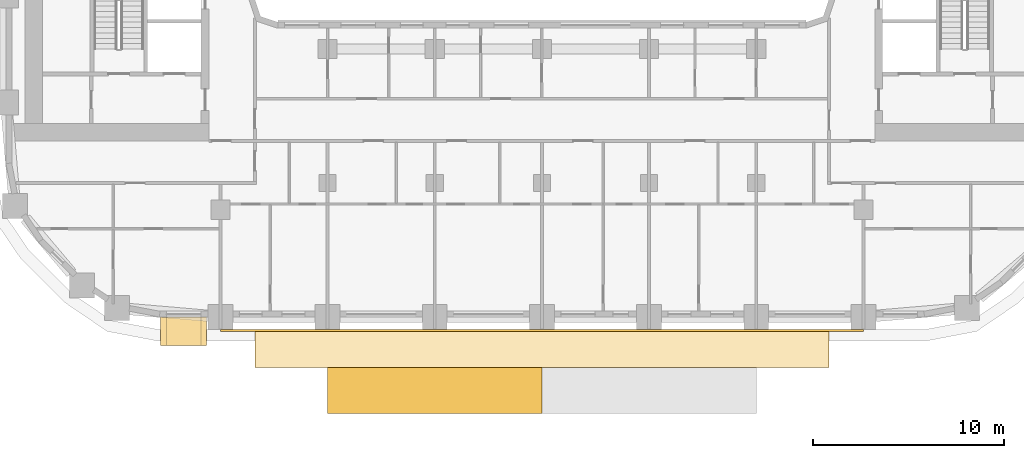
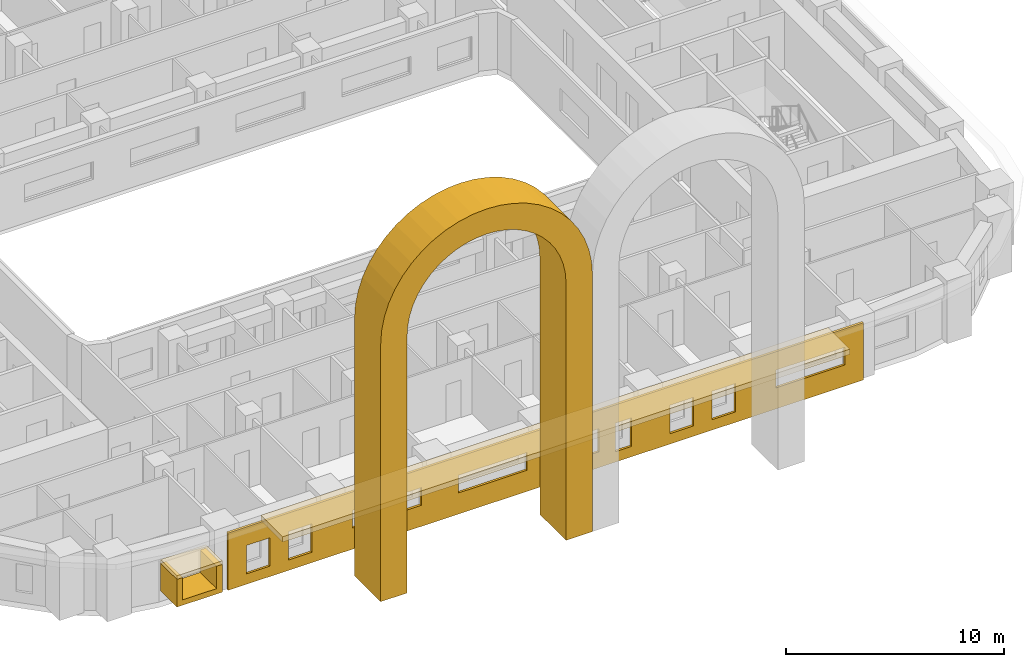
# One storey, part 12 of 19: 5 coverings.
"""IFC4 building model written with IfcOpenShell, lengths in metres."""

from ifc_helpers import new_model, si_unit, direction, frame, origin, origin_2d, place, context, subcontext, project, spatial, polyline, rectangle, outline, extrude, material, layer, layer_set, type_object, element, save


model = new_model("IFC4")

# Units and contexts
model_context = context("Model", 3, precision=1e-05, world=origin(), true_north=direction((0.0, 1.0)))
body_context = subcontext(model_context, "Body", "Model", "MODEL_VIEW")
ifc_project = project(units=[si_unit("LENGTHUNIT", "METRE"), si_unit("AREAUNIT", "SQUARE_METRE"), si_unit("VOLUMEUNIT", "CUBIC_METRE"), si_unit("PLANEANGLEUNIT", "RADIAN"), si_unit("MASSUNIT", "GRAM", prefix="KILO")], contexts=[model_context])

# Site, building, storey
site_placement = place(None, origin())
site = spatial("IfcSite", under=ifc_project, at=site_placement, CompositionType="ELEMENT")
building_placement = place(site_placement, origin())
building = spatial("IfcBuilding", under=site, at=building_placement, Name="Kiln Ring Residences", CompositionType="ELEMENT")
storey_placement = place(building_placement, frame((0.0, 0.0, 104.300048828125)))
storey = spatial("IfcBuildingStorey", under=building, at=storey_placement, Name="L26", CompositionType="ELEMENT", Elevation=104.300048828125)

# Coverings
ifc_material_1 = material(Name="Brick masonry, dark clay brick", Category="masonry")
ifc_layer_1 = layer(ifc_material_1, 1.39990234375)
ifc_layer_set_1 = layer_set([ifc_layer_1], Name="ARCH SURROUND 2400")
covering_type_1 = type_object("IfcCoveringType", Name="ARCH SURROUND 2400", PredefinedType="CLADDING", material=ifc_layer_set_1)
covering_1_placement = place(storey_placement, frame((0.0, -26.25, 0.0), z_axis=(0.0, 0.0, 1.0), x_axis=(-1.0, 0.0, 0.0)))
element("IfcCovering", 1, at=covering_1_placement, inside=storey, type_object=covering_type_1, Name="ARCH SURROUND Z2 S2.1", PredefinedType="CLADDING", context=body_context, shape_type="SweptSolid", body=[
    extrude(outline(polyline([(11.199951171875, 0.0), (11.199951171875, 14.39990234375), (11.152099609375, 15.130859375), (11.00927734375, 15.849365234375), (10.773681640625, 16.54296875), (10.44970703125, 17.199951171875), (10.042724609375, 17.80908203125), (9.559814453125, 18.35986328125), (9.009033203125, 18.8427734375), (8.39990234375, 19.249755859375), (7.742919921875, 19.57373046875), (7.04931640625, 19.80908203125), (6.330810546875, 19.9521484375), (5.60009765625, 20.0), (4.869140625, 19.9521484375), (4.150634765625, 19.80908203125), (3.45703125, 19.57373046875), (2.800048828125, 19.249755859375), (2.19091796875, 18.8427734375), (1.64013671875, 18.35986328125), (1.1572265625, 17.80908203125), (0.750244140625, 17.199951171875), (0.42626953125, 16.54296875), (0.19091796875, 15.849365234375), (0.0478515625, 15.130859375), (0.0, 14.39990234375), (0.0, 0.0), (1.39990234375, 0.0), (1.39990234375, 14.39990234375), (1.435791015625, 14.9482421875), (1.543212890625, 15.487060546875), (1.7197265625, 16.00732421875), (1.962646484375, 16.5), (2.267822265625, 16.956787109375), (2.630126953125, 17.369873046875), (3.043212890625, 17.73193359375), (3.5, 18.037353515625), (3.99267578125, 18.2802734375), (4.512939453125, 18.456787109375), (5.0517578125, 18.56396484375), (5.60009765625, 18.599853515625), (6.148193359375, 18.56396484375), (6.68701171875, 18.456787109375), (7.207275390625, 18.2802734375), (7.699951171875, 18.037353515625), (8.15673828125, 17.73193359375), (8.56982421875, 17.369873046875), (8.93212890625, 16.956787109375), (9.2373046875, 16.5), (9.480224609375, 16.00732421875), (9.656982421875, 15.487060546875), (9.76416015625, 14.9482421875), (9.800048828125, 14.39990234375), (9.800048828125, 0.0), (11.199951171875, 0.0)])), frame((0.0, 1.199951171875, 0.0), z_axis=(0.0, -1.0, 0.0), x_axis=(1.0, 0.0, 0.0)), (0.0, 0.0, 1.0), 2.39990234375),
])
ifc_material_2 = material(Name="Brick masonry, dark clay brick", Category="masonry")
ifc_layer_2 = layer(ifc_material_2, 0.300048828125)
ifc_layer_set_2 = layer_set([ifc_layer_2], Name="FRAME CHEEKS AND SILL 1500")
covering_type_2 = type_object("IfcCoveringType", Name="FRAME CHEEKS AND SILL 1500", PredefinedType="CLADDING", material=ifc_layer_set_2)
covering_2_placement = place(storey_placement, frame((-19.925048828125, -23.14990234375, 0.599853515625), z_axis=(0.0, 0.0, 1.0), x_axis=(1.0, 0.0, 0.0)))
element("IfcCovering", 2, at=covering_2_placement, inside=storey, type_object=covering_type_2, Name="FRAME L26", PredefinedType="CLADDING", context=body_context, shape_type="SweptSolid", body=[
    extrude(outline(polyline([(0.0, 0.0), (2.400146484375, 0.0), (2.39990234375, 1.550048828125), (2.10107421875, 1.550048828125), (2.10009765625, 0.300048828125), (0.300048828125, 0.300048828125), (0.299072265625, 1.550048828125), (0.0, 1.550048828125), (0.0, 0.0)])), frame((0.0, 0.75, 0.0), z_axis=(0.0, -1.0, 0.0), x_axis=(1.0, 0.0, 0.0)), (0.0, 0.0, 1.0), 1.5),
])
ifc_material_3 = material(Name="Brick masonry, dark clay brick", Category="masonry")
ifc_layer_3 = layer(ifc_material_3, 0.199951171875)
ifc_layer_set_3 = layer_set([ifc_layer_3], Name="FRAME HEAD 1500")
covering_type_3 = type_object("IfcCoveringType", Name="FRAME HEAD 1500", PredefinedType="CLADDING", material=ifc_layer_set_3)
covering_3_placement = place(storey_placement, frame((-18.72509765625, -23.14990234375, 2.14990234375), z_axis=(0.0, 0.0, 1.0), x_axis=(1.0, 0.0, 0.0)))
element("IfcCovering", 3, at=covering_3_placement, inside=storey, type_object=covering_type_3, Name="FRAME HEAD L26", PredefinedType="CLADDING", context=body_context, shape_type="SweptSolid", body=[
    extrude(rectangle(XDim=2.39990234375, YDim=1.5, at=origin_2d()), origin(), (0.0, 0.0, 1.0), 0.199951171875),
])
ifc_material_4 = material(Name="Brick masonry, dark clay brick", Category="masonry")
ifc_layer_4 = layer(ifc_material_4, 0.1201171875)
ifc_layer_set_4 = layer_set([ifc_layer_4], Name="RAINSCREEN PANEL 120")
covering_type_4 = type_object("IfcCoveringType", Name="RAINSCREEN PANEL 120", PredefinedType="CLADDING", material=ifc_layer_set_4)
covering_4_placement = place(storey_placement, frame((-16.800048828125, -23.110107421875, 0.0), z_axis=(0.0, 0.0, 1.0), x_axis=(1.0, 0.0, 0.0)))
element("IfcCovering", 4, at=covering_4_placement, inside=storey, type_object=covering_type_4, Name="RAINSCREEN L26", PredefinedType="CLADDING", context=body_context, shape_type="SweptSolid", body=[
    extrude(outline(polyline([(0.0, 0.0), (33.60009765625, 0.0), (33.60009765625, 3.199951171875), (0.0, 3.199951171875), (0.0, 0.0)]), holes=[polyline([(0.967529296875, 0.579833984375), (2.20751953125, 0.579833984375), (2.20751953125, 2.169921875), (0.967529296875, 2.169921875), (0.967529296875, 0.579833984375)]), polyline([(3.1923828125, 0.579833984375), (4.4326171875, 0.579833984375), (4.4326171875, 2.169921875), (3.1923828125, 2.169921875), (3.1923828125, 0.579833984375)]), polyline([(20.492431640625, 0.579833984375), (21.33251953125, 0.579833984375), (21.33251953125, 2.169921875), (20.492431640625, 2.169921875), (20.492431640625, 0.579833984375)]), polyline([(23.367431640625, 0.579833984375), (24.607421875, 0.579833984375), (24.607421875, 2.169921875), (23.367431640625, 2.169921875), (23.367431640625, 0.579833984375)]), polyline([(25.592529296875, 0.579833984375), (26.83251953125, 0.579833984375), (26.83251953125, 2.169921875), (25.592529296875, 2.169921875), (25.592529296875, 0.579833984375)]), polyline([(17.767578125, 0.8798828125), (19.607421875, 0.8798828125), (19.607421875, 2.169921875), (17.767578125, 2.169921875), (17.767578125, 0.8798828125)]), polyline([(6.580078125, 1.179931640625), (10.219970703125, 1.179931640625), (10.219970703125, 2.169921875), (6.580078125, 2.169921875), (6.580078125, 1.179931640625)]), polyline([(12.179931640625, 2.169921875), (12.179931640625, 1.179931640625), (15.820068359375, 1.179931640625), (15.820068359375, 2.169921875), (12.179931640625, 2.169921875)]), polyline([(28.97998046875, 2.169921875), (28.97998046875, 1.179931640625), (32.6201171875, 1.179931640625), (32.6201171875, 2.169921875), (28.97998046875, 2.169921875)])]), frame((0.0, 0.06005859375, 0.0), z_axis=(0.0, -1.0, 0.0), x_axis=(1.0, 0.0, 0.0)), (0.0, 0.0, 1.0), 0.1201171875),
])
ifc_material_5 = material(Name="Black powder-coated steel", Category="steel")
ifc_layer_5 = layer(ifc_material_5, 0.300048828125)
ifc_layer_set_5 = layer_set([ifc_layer_5], Name="SUNSHADE BAND 2000")
covering_type_5 = type_object("IfcCoveringType", Name="SUNSHADE BAND 2000", PredefinedType="CLADDING", material=ifc_layer_set_5)
covering_5_placement = place(storey_placement, frame((0.0, 0.0, 3.199951171875)))
element("IfcCovering", 5, at=covering_5_placement, inside=storey, type_object=covering_type_5, Name="SUNSHADE BAND L26", PredefinedType="CLADDING", context=body_context, shape_type="SweptSolid", body=[
    extrude(outline(polyline([(-15.0, -25.050048828125), (15.0, -25.050048828125), (15.0, -23.050048828125), (-15.0, -23.050048828125), (-15.0, -25.050048828125)])), origin(), (0.0, 0.0, 1.0), 0.300048828125),
])

save(model, "model.ifc")
